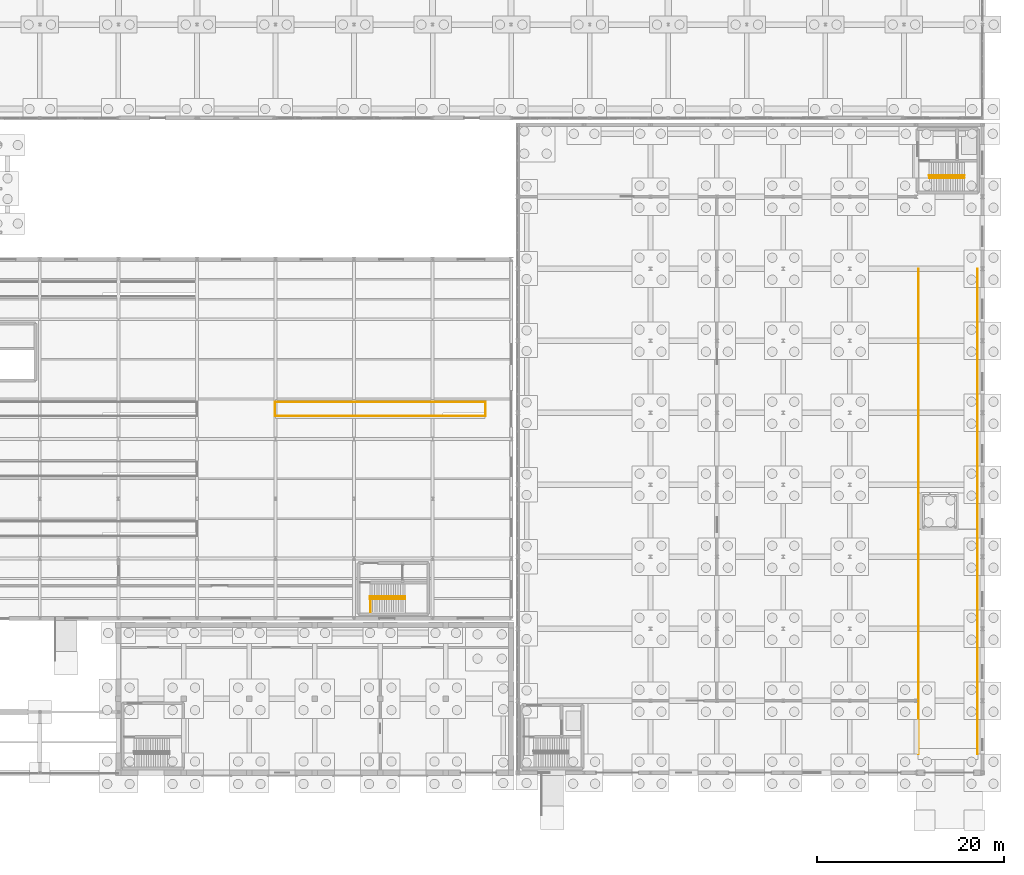
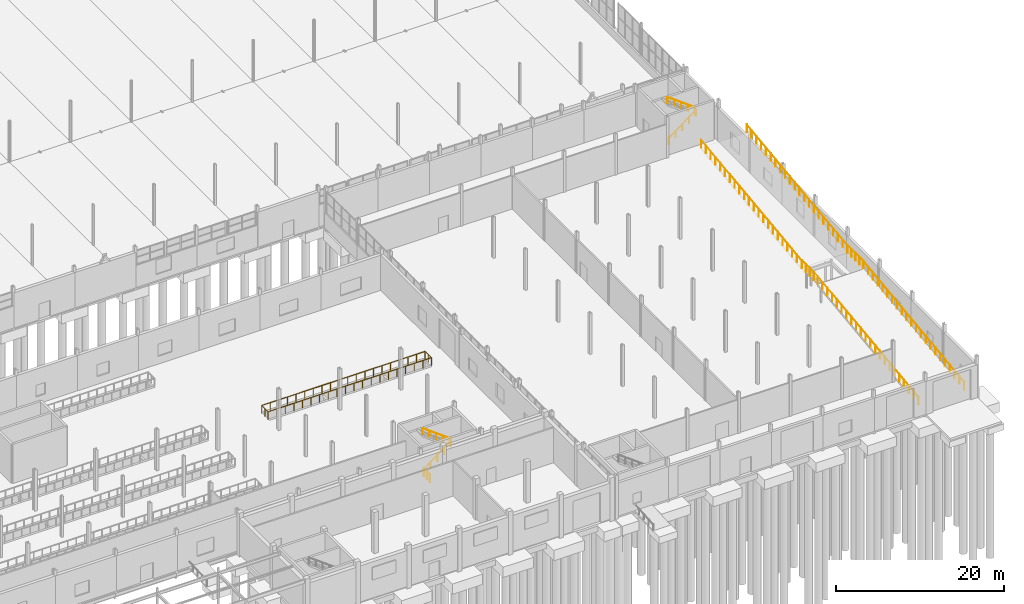
# One storey, part 137 of 139: 8 railings.
"""IFC4 building model written with IfcOpenShell, lengths in metres."""

from ifc_helpers import new_model, si_unit, direction, frame, origin, origin_2d, place, context, subcontext, project, spatial, circle, extrude, material, type_object, element, save


model = new_model("IFC4")

# Units and contexts
model_context = context("Model", 3, precision=1e-05, world=origin(), true_north=direction((0.0, 1.0)))
body_context = subcontext(model_context, "Body", "Model", "MODEL_VIEW")
ifc_project = project(units=[si_unit("LENGTHUNIT", "METRE"), si_unit("AREAUNIT", "SQUARE_METRE"), si_unit("VOLUMEUNIT", "CUBIC_METRE"), si_unit("PLANEANGLEUNIT", "RADIAN"), si_unit("MASSUNIT", "GRAM", prefix="KILO")], contexts=[model_context])

# Site, building, storey
site_placement = place(None, origin())
site = spatial("IfcSite", under=ifc_project, at=site_placement, CompositionType="ELEMENT")
building_placement = place(site_placement, origin())
building = spatial("IfcBuilding", under=site, at=building_placement, Name="Kazenagashi Tramway Depot", CompositionType="ELEMENT")
storey_placement = place(building_placement, origin())
storey = spatial("IfcBuildingStorey", under=building, at=storey_placement, Name="L01", CompositionType="ELEMENT", Elevation=0.0)

# Railings
ifc_material_1 = material(Name="Galvanised Painted Steel Balustrade", Category="steel")
railing_type_1 = type_object("IfcRailingType", Name="GR-01", PredefinedType="GUARDRAIL", material=ifc_material_1)
railing_1_placement = place(storey_placement, frame((120.34, 38.14, 0.0)))
element("IfcRailing", 1, at=railing_1_placement, inside=storey, type_object=railing_type_1, Name="Inspection Pit 6 Perimeter Guardrail", PredefinedType="GUARDRAIL", context=body_context, shape_type="SweptSolid", body=[
    extrude(circle(Radius=0.024, at=origin_2d()), frame((0.0, 0.0, 1.126), z_axis=(1.0, 0.0, 0.0), x_axis=(0.0, 1.0, 0.0)), (0.0, 0.0, 1.0), 22.52),
    extrude(circle(Radius=0.024, at=origin_2d()), frame((22.52, 0.0, 1.126), z_axis=(0.0, 1.0, 0.0), x_axis=(-1.0, 0.0, 0.0)), (0.0, 0.0, 1.0), 1.52),
    extrude(circle(Radius=0.024, at=origin_2d()), frame((22.52, 1.52, 1.126), z_axis=(-1.0, 0.0, 0.0), x_axis=(0.0, -1.0, 0.0)), (0.0, 0.0, 1.0), 22.52),
    extrude(circle(Radius=0.024, at=origin_2d()), frame((0.0, 1.52, 1.126), z_axis=(0.0, -1.0, 0.0), x_axis=(1.0, 0.0, 0.0)), (0.0, 0.0, 1.0), 1.52),
    extrude(circle(Radius=0.021, at=origin_2d()), origin(), (0.0, 0.0, 1.0), 1.102),
    extrude(circle(Radius=0.021, at=origin_2d()), frame((1.185263, 0.0, 0.0)), (0.0, 0.0, 1.0), 1.102),
    extrude(circle(Radius=0.021, at=origin_2d()), frame((2.370526, 0.0, 0.0)), (0.0, 0.0, 1.0), 1.102),
    extrude(circle(Radius=0.021, at=origin_2d()), frame((3.555789, 0.0, 0.0)), (0.0, 0.0, 1.0), 1.102),
    extrude(circle(Radius=0.021, at=origin_2d()), frame((4.741053, 0.0, 0.0)), (0.0, 0.0, 1.0), 1.102),
    extrude(circle(Radius=0.021, at=origin_2d()), frame((5.926316, 0.0, 0.0)), (0.0, 0.0, 1.0), 1.102),
    extrude(circle(Radius=0.021, at=origin_2d()), frame((7.111579, 0.0, 0.0)), (0.0, 0.0, 1.0), 1.102),
    extrude(circle(Radius=0.021, at=origin_2d()), frame((8.296842, 0.0, 0.0)), (0.0, 0.0, 1.0), 1.102),
    extrude(circle(Radius=0.021, at=origin_2d()), frame((9.482105, 0.0, 0.0)), (0.0, 0.0, 1.0), 1.102),
    extrude(circle(Radius=0.021, at=origin_2d()), frame((10.667368, 0.0, 0.0)), (0.0, 0.0, 1.0), 1.102),
    extrude(circle(Radius=0.021, at=origin_2d()), frame((11.852632, 0.0, 0.0)), (0.0, 0.0, 1.0), 1.102),
    extrude(circle(Radius=0.021, at=origin_2d()), frame((13.037895, 0.0, 0.0)), (0.0, 0.0, 1.0), 1.102),
    extrude(circle(Radius=0.021, at=origin_2d()), frame((14.223158, 0.0, 0.0)), (0.0, 0.0, 1.0), 1.102),
    extrude(circle(Radius=0.021, at=origin_2d()), frame((15.408421, 0.0, 0.0)), (0.0, 0.0, 1.0), 1.102),
    extrude(circle(Radius=0.021, at=origin_2d()), frame((16.593684, 0.0, 0.0)), (0.0, 0.0, 1.0), 1.102),
    extrude(circle(Radius=0.021, at=origin_2d()), frame((17.778947, 0.0, 0.0)), (0.0, 0.0, 1.0), 1.102),
    extrude(circle(Radius=0.021, at=origin_2d()), frame((18.964211, 0.0, 0.0)), (0.0, 0.0, 1.0), 1.102),
    extrude(circle(Radius=0.021, at=origin_2d()), frame((20.149474, 0.0, 0.0)), (0.0, 0.0, 1.0), 1.102),
    extrude(circle(Radius=0.021, at=origin_2d()), frame((21.334737, 0.0, 0.0)), (0.0, 0.0, 1.0), 1.102),
    extrude(circle(Radius=0.021, at=origin_2d()), frame((22.52, 0.0, 0.0)), (0.0, 0.0, 1.0), 1.102),
    extrude(circle(Radius=0.021, at=origin_2d()), frame((22.52, 0.76, 0.0)), (0.0, 0.0, 1.0), 1.102),
    extrude(circle(Radius=0.021, at=origin_2d()), frame((22.52, 1.52, 0.0)), (0.0, 0.0, 1.0), 1.102),
    extrude(circle(Radius=0.021, at=origin_2d()), frame((21.334737, 1.52, 0.0)), (0.0, 0.0, 1.0), 1.102),
    extrude(circle(Radius=0.021, at=origin_2d()), frame((20.149474, 1.52, 0.0)), (0.0, 0.0, 1.0), 1.102),
    extrude(circle(Radius=0.021, at=origin_2d()), frame((18.964211, 1.52, 0.0)), (0.0, 0.0, 1.0), 1.102),
    extrude(circle(Radius=0.021, at=origin_2d()), frame((17.778947, 1.52, 0.0)), (0.0, 0.0, 1.0), 1.102),
    extrude(circle(Radius=0.021, at=origin_2d()), frame((16.593684, 1.52, 0.0)), (0.0, 0.0, 1.0), 1.102),
    extrude(circle(Radius=0.021, at=origin_2d()), frame((15.408421, 1.52, 0.0)), (0.0, 0.0, 1.0), 1.102),
    extrude(circle(Radius=0.021, at=origin_2d()), frame((14.223158, 1.52, 0.0)), (0.0, 0.0, 1.0), 1.102),
    extrude(circle(Radius=0.021, at=origin_2d()), frame((13.037895, 1.52, 0.0)), (0.0, 0.0, 1.0), 1.102),
    extrude(circle(Radius=0.021, at=origin_2d()), frame((11.852632, 1.52, 0.0)), (0.0, 0.0, 1.0), 1.102),
    extrude(circle(Radius=0.021, at=origin_2d()), frame((10.667368, 1.52, 0.0)), (0.0, 0.0, 1.0), 1.102),
    extrude(circle(Radius=0.021, at=origin_2d()), frame((9.482105, 1.52, 0.0)), (0.0, 0.0, 1.0), 1.102),
    extrude(circle(Radius=0.021, at=origin_2d()), frame((8.296842, 1.52, 0.0)), (0.0, 0.0, 1.0), 1.102),
    extrude(circle(Radius=0.021, at=origin_2d()), frame((7.111579, 1.52, 0.0)), (0.0, 0.0, 1.0), 1.102),
    extrude(circle(Radius=0.021, at=origin_2d()), frame((5.926316, 1.52, 0.0)), (0.0, 0.0, 1.0), 1.102),
    extrude(circle(Radius=0.021, at=origin_2d()), frame((4.741053, 1.52, 0.0)), (0.0, 0.0, 1.0), 1.102),
    extrude(circle(Radius=0.021, at=origin_2d()), frame((3.555789, 1.52, 0.0)), (0.0, 0.0, 1.0), 1.102),
    extrude(circle(Radius=0.021, at=origin_2d()), frame((2.370526, 1.52, 0.0)), (0.0, 0.0, 1.0), 1.102),
    extrude(circle(Radius=0.021, at=origin_2d()), frame((1.185263, 1.52, 0.0)), (0.0, 0.0, 1.0), 1.102),
    extrude(circle(Radius=0.021, at=origin_2d()), frame((0.0, 1.52, 0.0)), (0.0, 0.0, 1.0), 1.102),
    extrude(circle(Radius=0.021, at=origin_2d()), frame((0.0, 0.76, 0.0)), (0.0, 0.0, 1.0), 1.102),
])
railing_2_placement = place(storey_placement, frame((130.56, 17.17, 0.0)))
element("IfcRailing", 2, at=railing_2_placement, inside=storey, type_object=railing_type_1, Name="Stairwell ST-19 Arrival Guardrail", PredefinedType="GUARDRAIL", context=body_context, shape_type="SweptSolid", body=[
    extrude(circle(Radius=0.024, at=origin_2d()), frame((0.0, 0.0, 1.156), z_axis=(0.0, 1.0, 0.0), x_axis=(-1.0, 0.0, 0.0)), (0.0, 0.0, 1.0), 1.45),
    extrude(circle(Radius=0.021, at=origin_2d()), origin(), (0.0, 0.0, 1.0), 1.132),
    extrude(circle(Radius=0.021, at=origin_2d()), frame((0.0, 0.725, 0.0)), (0.0, 0.0, 1.0), 1.132),
    extrude(circle(Radius=0.021, at=origin_2d()), frame((0.0, 1.45, 0.0)), (0.0, 0.0, 1.0), 1.132),
])
railing_3_placement = place(storey_placement, frame((189.15, 2.0, 0.0)))
element("IfcRailing", 3, at=railing_3_placement, inside=storey, type_object=railing_type_1, Name="Vehicle Ramp R1 W Safety Guardrail", PredefinedType="GUARDRAIL", context=body_context, shape_type="SweptSolid", body=[
    extrude(circle(Radius=0.024, at=origin_2d()), frame((0.0, 0.0, 1.126), z_axis=(0.0, 0.9923095829, 0.123780821152), x_axis=(-1.0, 0.0, 0.0)), (0.0, 0.0, 1.0), 24.236388),
    extrude(circle(Radius=0.024, at=origin_2d()), frame((0.0, 24.05, 4.126), z_axis=(0.0, 1.0, 0.0), x_axis=(-1.0, 0.0, 0.0)), (0.0, 0.0, 1.0), 3.8),
    extrude(circle(Radius=0.024, at=origin_2d()), frame((0.0, 27.85, 4.126), z_axis=(0.0, 0.9923095829, 0.123780821152), x_axis=(-1.0, 0.0, 0.0)), (0.0, 0.0, 1.0), 24.236388),
    extrude(circle(Radius=0.021, at=origin_2d()), origin(), (0.0, 0.0, 1.0), 1.102),
    extrude(circle(Radius=0.021, at=origin_2d()), frame((0.0, 1.145238, 0.142857)), (0.0, 0.0, 1.0), 1.102),
    extrude(circle(Radius=0.021, at=origin_2d()), frame((0.0, 2.290476, 0.285714)), (0.0, 0.0, 1.0), 1.102),
    extrude(circle(Radius=0.021, at=origin_2d()), frame((0.0, 3.435714, 0.428571)), (0.0, 0.0, 1.0), 1.102),
    extrude(circle(Radius=0.021, at=origin_2d()), frame((0.0, 4.580952, 0.571429)), (0.0, 0.0, 1.0), 1.102),
    extrude(circle(Radius=0.021, at=origin_2d()), frame((0.0, 5.72619, 0.714286)), (0.0, 0.0, 1.0), 1.102),
    extrude(circle(Radius=0.021, at=origin_2d()), frame((0.0, 6.871429, 0.857143)), (0.0, 0.0, 1.0), 1.102),
    extrude(circle(Radius=0.021, at=origin_2d()), frame((0.0, 8.016667, 1.0)), (0.0, 0.0, 1.0), 1.102),
    extrude(circle(Radius=0.021, at=origin_2d()), frame((0.0, 9.161905, 1.142857)), (0.0, 0.0, 1.0), 1.102),
    extrude(circle(Radius=0.021, at=origin_2d()), frame((0.0, 10.307143, 1.285714)), (0.0, 0.0, 1.0), 1.102),
    extrude(circle(Radius=0.021, at=origin_2d()), frame((0.0, 11.452381, 1.428571)), (0.0, 0.0, 1.0), 1.102),
    extrude(circle(Radius=0.021, at=origin_2d()), frame((0.0, 12.597619, 1.571429)), (0.0, 0.0, 1.0), 1.102),
    extrude(circle(Radius=0.021, at=origin_2d()), frame((0.0, 13.742857, 1.714286)), (0.0, 0.0, 1.0), 1.102),
    extrude(circle(Radius=0.021, at=origin_2d()), frame((0.0, 14.888095, 1.857143)), (0.0, 0.0, 1.0), 1.102),
    extrude(circle(Radius=0.021, at=origin_2d()), frame((0.0, 16.033333, 2.0)), (0.0, 0.0, 1.0), 1.102),
    extrude(circle(Radius=0.021, at=origin_2d()), frame((0.0, 17.178571, 2.142857)), (0.0, 0.0, 1.0), 1.102),
    extrude(circle(Radius=0.021, at=origin_2d()), frame((0.0, 18.32381, 2.285714)), (0.0, 0.0, 1.0), 1.102),
    extrude(circle(Radius=0.021, at=origin_2d()), frame((0.0, 19.469048, 2.428571)), (0.0, 0.0, 1.0), 1.102),
    extrude(circle(Radius=0.021, at=origin_2d()), frame((0.0, 20.614286, 2.571429)), (0.0, 0.0, 1.0), 1.102),
    extrude(circle(Radius=0.021, at=origin_2d()), frame((0.0, 21.759524, 2.714286)), (0.0, 0.0, 1.0), 1.102),
    extrude(circle(Radius=0.021, at=origin_2d()), frame((0.0, 22.904762, 2.857143)), (0.0, 0.0, 1.0), 1.102),
    extrude(circle(Radius=0.021, at=origin_2d()), frame((0.0, 24.05, 3.0)), (0.0, 0.0, 1.0), 1.102),
    extrude(circle(Radius=0.021, at=origin_2d()), frame((0.0, 25.0, 3.0)), (0.0, 0.0, 1.0), 1.102),
    extrude(circle(Radius=0.021, at=origin_2d()), frame((0.0, 25.95, 3.0)), (0.0, 0.0, 1.0), 1.102),
    extrude(circle(Radius=0.021, at=origin_2d()), frame((0.0, 26.9, 3.0)), (0.0, 0.0, 1.0), 1.102),
    extrude(circle(Radius=0.021, at=origin_2d()), frame((0.0, 27.85, 3.0)), (0.0, 0.0, 1.0), 1.102),
    extrude(circle(Radius=0.021, at=origin_2d()), frame((0.0, 28.995238, 3.142857)), (0.0, 0.0, 1.0), 1.102),
    extrude(circle(Radius=0.021, at=origin_2d()), frame((0.0, 30.140476, 3.285714)), (0.0, 0.0, 1.0), 1.102),
    extrude(circle(Radius=0.021, at=origin_2d()), frame((0.0, 31.285714, 3.428571)), (0.0, 0.0, 1.0), 1.102),
    extrude(circle(Radius=0.021, at=origin_2d()), frame((0.0, 32.430952, 3.571429)), (0.0, 0.0, 1.0), 1.102),
    extrude(circle(Radius=0.021, at=origin_2d()), frame((0.0, 33.57619, 3.714286)), (0.0, 0.0, 1.0), 1.102),
    extrude(circle(Radius=0.021, at=origin_2d()), frame((0.0, 34.721429, 3.857143)), (0.0, 0.0, 1.0), 1.102),
    extrude(circle(Radius=0.021, at=origin_2d()), frame((0.0, 35.866667, 4.0)), (0.0, 0.0, 1.0), 1.102),
    extrude(circle(Radius=0.021, at=origin_2d()), frame((0.0, 37.011905, 4.142857)), (0.0, 0.0, 1.0), 1.102),
    extrude(circle(Radius=0.021, at=origin_2d()), frame((0.0, 38.157143, 4.285714)), (0.0, 0.0, 1.0), 1.102),
    extrude(circle(Radius=0.021, at=origin_2d()), frame((0.0, 39.302381, 4.428571)), (0.0, 0.0, 1.0), 1.102),
    extrude(circle(Radius=0.021, at=origin_2d()), frame((0.0, 40.447619, 4.571429)), (0.0, 0.0, 1.0), 1.102),
    extrude(circle(Radius=0.021, at=origin_2d()), frame((0.0, 41.592857, 4.714286)), (0.0, 0.0, 1.0), 1.102),
    extrude(circle(Radius=0.021, at=origin_2d()), frame((0.0, 42.738095, 4.857143)), (0.0, 0.0, 1.0), 1.102),
    extrude(circle(Radius=0.021, at=origin_2d()), frame((0.0, 43.883333, 5.0)), (0.0, 0.0, 1.0), 1.102),
    extrude(circle(Radius=0.021, at=origin_2d()), frame((0.0, 45.028571, 5.142857)), (0.0, 0.0, 1.0), 1.102),
    extrude(circle(Radius=0.021, at=origin_2d()), frame((0.0, 46.17381, 5.285714)), (0.0, 0.0, 1.0), 1.102),
    extrude(circle(Radius=0.021, at=origin_2d()), frame((0.0, 47.319048, 5.428571)), (0.0, 0.0, 1.0), 1.102),
    extrude(circle(Radius=0.021, at=origin_2d()), frame((0.0, 48.464286, 5.571429)), (0.0, 0.0, 1.0), 1.102),
    extrude(circle(Radius=0.021, at=origin_2d()), frame((0.0, 49.609524, 5.714286)), (0.0, 0.0, 1.0), 1.102),
    extrude(circle(Radius=0.021, at=origin_2d()), frame((0.0, 50.754762, 5.857143)), (0.0, 0.0, 1.0), 1.102),
    extrude(circle(Radius=0.021, at=origin_2d()), frame((0.0, 51.9, 6.0)), (0.0, 0.0, 1.0), 1.102),
])
railing_4_placement = place(storey_placement, frame((195.45, 2.0, 0.0)))
element("IfcRailing", 4, at=railing_4_placement, inside=storey, type_object=railing_type_1, Name="Vehicle Ramp R1 E Safety Guardrail", PredefinedType="GUARDRAIL", context=body_context, shape_type="SweptSolid", body=[
    extrude(circle(Radius=0.024, at=origin_2d()), frame((0.0, 0.0, 1.126), z_axis=(0.0, 0.9923095829, 0.123780821152), x_axis=(-1.0, 0.0, 0.0)), (0.0, 0.0, 1.0), 24.236388),
    extrude(circle(Radius=0.024, at=origin_2d()), frame((0.0, 24.05, 4.126), z_axis=(0.0, 1.0, 0.0), x_axis=(-1.0, 0.0, 0.0)), (0.0, 0.0, 1.0), 3.8),
    extrude(circle(Radius=0.024, at=origin_2d()), frame((0.0, 27.85, 4.126), z_axis=(0.0, 0.9923095829, 0.123780821152), x_axis=(-1.0, 0.0, 0.0)), (0.0, 0.0, 1.0), 24.236388),
    extrude(circle(Radius=0.021, at=origin_2d()), origin(), (0.0, 0.0, 1.0), 1.102),
    extrude(circle(Radius=0.021, at=origin_2d()), frame((0.0, 1.145238, 0.142857)), (0.0, 0.0, 1.0), 1.102),
    extrude(circle(Radius=0.021, at=origin_2d()), frame((0.0, 2.290476, 0.285714)), (0.0, 0.0, 1.0), 1.102),
    extrude(circle(Radius=0.021, at=origin_2d()), frame((0.0, 3.435714, 0.428571)), (0.0, 0.0, 1.0), 1.102),
    extrude(circle(Radius=0.021, at=origin_2d()), frame((0.0, 4.580952, 0.571429)), (0.0, 0.0, 1.0), 1.102),
    extrude(circle(Radius=0.021, at=origin_2d()), frame((0.0, 5.72619, 0.714286)), (0.0, 0.0, 1.0), 1.102),
    extrude(circle(Radius=0.021, at=origin_2d()), frame((0.0, 6.871429, 0.857143)), (0.0, 0.0, 1.0), 1.102),
    extrude(circle(Radius=0.021, at=origin_2d()), frame((0.0, 8.016667, 1.0)), (0.0, 0.0, 1.0), 1.102),
    extrude(circle(Radius=0.021, at=origin_2d()), frame((0.0, 9.161905, 1.142857)), (0.0, 0.0, 1.0), 1.102),
    extrude(circle(Radius=0.021, at=origin_2d()), frame((0.0, 10.307143, 1.285714)), (0.0, 0.0, 1.0), 1.102),
    extrude(circle(Radius=0.021, at=origin_2d()), frame((0.0, 11.452381, 1.428571)), (0.0, 0.0, 1.0), 1.102),
    extrude(circle(Radius=0.021, at=origin_2d()), frame((0.0, 12.597619, 1.571429)), (0.0, 0.0, 1.0), 1.102),
    extrude(circle(Radius=0.021, at=origin_2d()), frame((0.0, 13.742857, 1.714286)), (0.0, 0.0, 1.0), 1.102),
    extrude(circle(Radius=0.021, at=origin_2d()), frame((0.0, 14.888095, 1.857143)), (0.0, 0.0, 1.0), 1.102),
    extrude(circle(Radius=0.021, at=origin_2d()), frame((0.0, 16.033333, 2.0)), (0.0, 0.0, 1.0), 1.102),
    extrude(circle(Radius=0.021, at=origin_2d()), frame((0.0, 17.178571, 2.142857)), (0.0, 0.0, 1.0), 1.102),
    extrude(circle(Radius=0.021, at=origin_2d()), frame((0.0, 18.32381, 2.285714)), (0.0, 0.0, 1.0), 1.102),
    extrude(circle(Radius=0.021, at=origin_2d()), frame((0.0, 19.469048, 2.428571)), (0.0, 0.0, 1.0), 1.102),
    extrude(circle(Radius=0.021, at=origin_2d()), frame((0.0, 20.614286, 2.571429)), (0.0, 0.0, 1.0), 1.102),
    extrude(circle(Radius=0.021, at=origin_2d()), frame((0.0, 21.759524, 2.714286)), (0.0, 0.0, 1.0), 1.102),
    extrude(circle(Radius=0.021, at=origin_2d()), frame((0.0, 22.904762, 2.857143)), (0.0, 0.0, 1.0), 1.102),
    extrude(circle(Radius=0.021, at=origin_2d()), frame((0.0, 24.05, 3.0)), (0.0, 0.0, 1.0), 1.102),
    extrude(circle(Radius=0.021, at=origin_2d()), frame((0.0, 25.0, 3.0)), (0.0, 0.0, 1.0), 1.102),
    extrude(circle(Radius=0.021, at=origin_2d()), frame((0.0, 25.95, 3.0)), (0.0, 0.0, 1.0), 1.102),
    extrude(circle(Radius=0.021, at=origin_2d()), frame((0.0, 26.9, 3.0)), (0.0, 0.0, 1.0), 1.102),
    extrude(circle(Radius=0.021, at=origin_2d()), frame((0.0, 27.85, 3.0)), (0.0, 0.0, 1.0), 1.102),
    extrude(circle(Radius=0.021, at=origin_2d()), frame((0.0, 28.995238, 3.142857)), (0.0, 0.0, 1.0), 1.102),
    extrude(circle(Radius=0.021, at=origin_2d()), frame((0.0, 30.140476, 3.285714)), (0.0, 0.0, 1.0), 1.102),
    extrude(circle(Radius=0.021, at=origin_2d()), frame((0.0, 31.285714, 3.428571)), (0.0, 0.0, 1.0), 1.102),
    extrude(circle(Radius=0.021, at=origin_2d()), frame((0.0, 32.430952, 3.571429)), (0.0, 0.0, 1.0), 1.102),
    extrude(circle(Radius=0.021, at=origin_2d()), frame((0.0, 33.57619, 3.714286)), (0.0, 0.0, 1.0), 1.102),
    extrude(circle(Radius=0.021, at=origin_2d()), frame((0.0, 34.721429, 3.857143)), (0.0, 0.0, 1.0), 1.102),
    extrude(circle(Radius=0.021, at=origin_2d()), frame((0.0, 35.866667, 4.0)), (0.0, 0.0, 1.0), 1.102),
    extrude(circle(Radius=0.021, at=origin_2d()), frame((0.0, 37.011905, 4.142857)), (0.0, 0.0, 1.0), 1.102),
    extrude(circle(Radius=0.021, at=origin_2d()), frame((0.0, 38.157143, 4.285714)), (0.0, 0.0, 1.0), 1.102),
    extrude(circle(Radius=0.021, at=origin_2d()), frame((0.0, 39.302381, 4.428571)), (0.0, 0.0, 1.0), 1.102),
    extrude(circle(Radius=0.021, at=origin_2d()), frame((0.0, 40.447619, 4.571429)), (0.0, 0.0, 1.0), 1.102),
    extrude(circle(Radius=0.021, at=origin_2d()), frame((0.0, 41.592857, 4.714286)), (0.0, 0.0, 1.0), 1.102),
    extrude(circle(Radius=0.021, at=origin_2d()), frame((0.0, 42.738095, 4.857143)), (0.0, 0.0, 1.0), 1.102),
    extrude(circle(Radius=0.021, at=origin_2d()), frame((0.0, 43.883333, 5.0)), (0.0, 0.0, 1.0), 1.102),
    extrude(circle(Radius=0.021, at=origin_2d()), frame((0.0, 45.028571, 5.142857)), (0.0, 0.0, 1.0), 1.102),
    extrude(circle(Radius=0.021, at=origin_2d()), frame((0.0, 46.17381, 5.285714)), (0.0, 0.0, 1.0), 1.102),
    extrude(circle(Radius=0.021, at=origin_2d()), frame((0.0, 47.319048, 5.428571)), (0.0, 0.0, 1.0), 1.102),
    extrude(circle(Radius=0.021, at=origin_2d()), frame((0.0, 48.464286, 5.571429)), (0.0, 0.0, 1.0), 1.102),
    extrude(circle(Radius=0.021, at=origin_2d()), frame((0.0, 49.609524, 5.714286)), (0.0, 0.0, 1.0), 1.102),
    extrude(circle(Radius=0.021, at=origin_2d()), frame((0.0, 50.754762, 5.857143)), (0.0, 0.0, 1.0), 1.102),
    extrude(circle(Radius=0.021, at=origin_2d()), frame((0.0, 51.9, 6.0)), (0.0, 0.0, 1.0), 1.102),
])
ifc_material_2 = material(Name="Brushed Stainless Steel Handrail", Category="steel")
railing_type_2 = type_object("IfcRailingType", Name="HR-01", PredefinedType="HANDRAIL", material=ifc_material_2)
railing_5_placement = place(storey_placement, frame((130.52, 18.57, 0.188)))
element("IfcRailing", 5, at=railing_5_placement, inside=storey, type_object=railing_type_2, Name="Stair ST-20 Lower Handrail", PredefinedType="HANDRAIL", context=body_context, shape_type="SweptSolid", body=[
    extrude(circle(Radius=0.024, at=origin_2d()), frame((0.0, 0.0, 0.876), z_axis=(0.799281356131, 0.0, 0.600956998246), x_axis=(0.0, 1.0, 0.0)), (0.0, 0.0, 1.0), 4.679203),
    extrude(circle(Radius=0.021, at=origin_2d()), origin(), (0.0, 0.0, 1.0), 0.852),
    extrude(circle(Radius=0.021, at=origin_2d()), frame((0.935, 0.0, 0.703)), (0.0, 0.0, 1.0), 0.852),
    extrude(circle(Radius=0.021, at=origin_2d()), frame((1.87, 0.0, 1.406)), (0.0, 0.0, 1.0), 0.852),
    extrude(circle(Radius=0.021, at=origin_2d()), frame((2.805, 0.0, 2.109)), (0.0, 0.0, 1.0), 0.852),
    extrude(circle(Radius=0.021, at=origin_2d()), frame((3.74, 0.0, 2.812)), (0.0, 0.0, 1.0), 0.852),
])
railing_6_placement = place(storey_placement, frame((134.26, 18.83, 3.188)))
element("IfcRailing", 6, at=railing_6_placement, inside=storey, type_object=railing_type_2, Name="Stair ST-20 Upper Handrail", PredefinedType="HANDRAIL", context=body_context, shape_type="SweptSolid", body=[
    extrude(circle(Radius=0.024, at=origin_2d()), frame((0.0, 0.0, 0.876), z_axis=(-0.802337232767, 0.0, 0.59687097845), x_axis=(0.0, -1.0, 0.0)), (0.0, 0.0, 1.0), 4.711236),
    extrude(circle(Radius=0.021, at=origin_2d()), origin(), (0.0, 0.0, 1.0), 0.852),
    extrude(circle(Radius=0.021, at=origin_2d()), frame((-0.945, 0.0, 0.703)), (0.0, 0.0, 1.0), 0.852),
    extrude(circle(Radius=0.021, at=origin_2d()), frame((-1.89, 0.0, 1.406)), (0.0, 0.0, 1.0), 0.852),
    extrude(circle(Radius=0.021, at=origin_2d()), frame((-2.835, 0.0, 2.109)), (0.0, 0.0, 1.0), 0.852),
    extrude(circle(Radius=0.021, at=origin_2d()), frame((-3.78, 0.0, 2.812)), (0.0, 0.0, 1.0), 0.852),
])
railing_7_placement = place(storey_placement, frame((190.32, 63.62, 0.188)))
element("IfcRailing", 7, at=railing_7_placement, inside=storey, type_object=railing_type_2, Name="Stair ST-25 Lower Handrail", PredefinedType="HANDRAIL", context=body_context, shape_type="SweptSolid", body=[
    extrude(circle(Radius=0.024, at=origin_2d()), frame((0.0, 0.0, 0.876), z_axis=(0.799281356131, 0.0, 0.600956998246), x_axis=(0.0, 1.0, 0.0)), (0.0, 0.0, 1.0), 4.679203),
    extrude(circle(Radius=0.021, at=origin_2d()), origin(), (0.0, 0.0, 1.0), 0.852),
    extrude(circle(Radius=0.021, at=origin_2d()), frame((0.935, 0.0, 0.703)), (0.0, 0.0, 1.0), 0.852),
    extrude(circle(Radius=0.021, at=origin_2d()), frame((1.87, 0.0, 1.406)), (0.0, 0.0, 1.0), 0.852),
    extrude(circle(Radius=0.021, at=origin_2d()), frame((2.805, 0.0, 2.109)), (0.0, 0.0, 1.0), 0.852),
    extrude(circle(Radius=0.021, at=origin_2d()), frame((3.74, 0.0, 2.812)), (0.0, 0.0, 1.0), 0.852),
])
railing_8_placement = place(storey_placement, frame((194.06, 63.88, 3.188)))
element("IfcRailing", 8, at=railing_8_placement, inside=storey, type_object=railing_type_2, Name="Stair ST-25 Upper Handrail", PredefinedType="HANDRAIL", context=body_context, shape_type="SweptSolid", body=[
    extrude(circle(Radius=0.024, at=origin_2d()), frame((0.0, 0.0, 0.876), z_axis=(-0.802337232767, 0.0, 0.59687097845), x_axis=(0.0, -1.0, 0.0)), (0.0, 0.0, 1.0), 4.711236),
    extrude(circle(Radius=0.021, at=origin_2d()), origin(), (0.0, 0.0, 1.0), 0.852),
    extrude(circle(Radius=0.021, at=origin_2d()), frame((-0.945, 0.0, 0.703)), (0.0, 0.0, 1.0), 0.852),
    extrude(circle(Radius=0.021, at=origin_2d()), frame((-1.89, 0.0, 1.406)), (0.0, 0.0, 1.0), 0.852),
    extrude(circle(Radius=0.021, at=origin_2d()), frame((-2.835, 0.0, 2.109)), (0.0, 0.0, 1.0), 0.852),
    extrude(circle(Radius=0.021, at=origin_2d()), frame((-3.78, 0.0, 2.812)), (0.0, 0.0, 1.0), 0.852),
])

save(model, "model.ifc")
